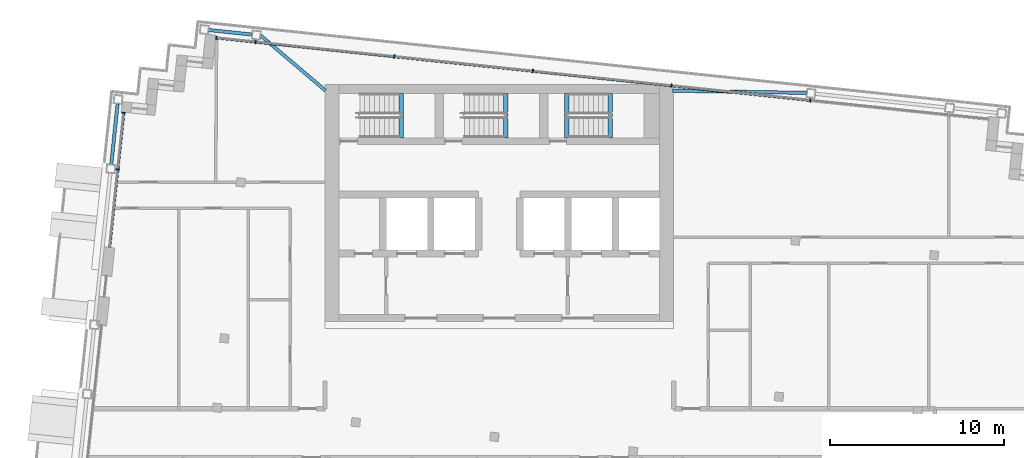
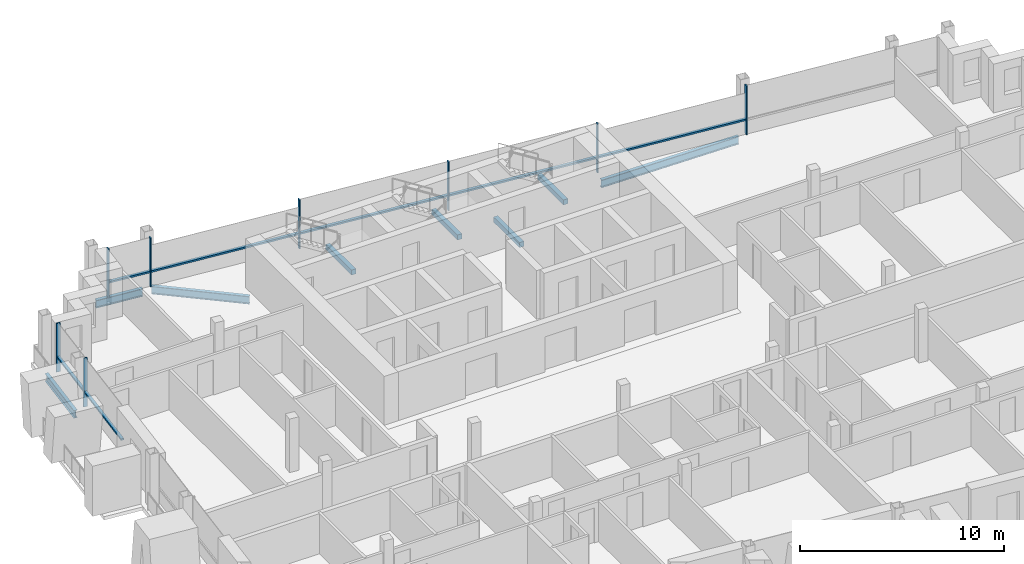
# One storey, part 5 of 16: 15 members, 8 beams, 2 elements without a shape of their own.
"""IFC4 building model written with IfcOpenShell, lengths in metres."""

from ifc_helpers import new_model, si_unit, direction, frame, origin, origin_2d, place, context, subcontext, project, spatial, rectangle, i_section, extrude, material, material_profile, profile_set, type_object, element, aggregate, save


model = new_model("IFC4")

# Units and contexts
model_context = context("Model", 3, precision=1e-05, world=origin(), true_north=direction((0.0, 1.0)))
body_context = subcontext(model_context, "Body", "Model", "MODEL_VIEW")
ifc_project = project(units=[si_unit("LENGTHUNIT", "METRE"), si_unit("AREAUNIT", "SQUARE_METRE"), si_unit("VOLUMEUNIT", "CUBIC_METRE"), si_unit("PLANEANGLEUNIT", "RADIAN"), si_unit("MASSUNIT", "GRAM", prefix="KILO")], contexts=[model_context])

# Site, building, storey
site_placement = place(None, origin())
site = spatial("IfcSite", under=ifc_project, at=site_placement, CompositionType="ELEMENT")
building_placement = place(site_placement, origin())
building = spatial("IfcBuilding", under=site, at=building_placement, Name="Vidyagriha Tower", CompositionType="ELEMENT")
storey_placement = place(building_placement, frame((0.0, 0.0, 275.5)))
storey = spatial("IfcBuildingStorey", under=building, at=storey_placement, Name="L72", CompositionType="ELEMENT", Elevation=275.5)

# Beams
ifc_material_1 = material(Name="Steel ASTM A992 Grade 50", Category="steel")
ifc_material_profile_1 = material_profile(ifc_material_1, i_section(OverallWidth=0.19189453125, OverallDepth=0.46240234375, WebThickness=0.010498046875, FlangeThickness=0.017578125, at=origin_2d()), Name="W18X60")
ifc_profile_set_1 = profile_set([ifc_material_profile_1], Name="Steel ASTM A992 Grade 50")
beam_type_1 = type_object("IfcBeamType", Name="Edge beam W18X60", PredefinedType="SPANDREL", material=ifc_profile_set_1)
beam_1_placement = place(storey_placement, frame((-22.263916015625, 15.422607421875, -0.51123046875), z_axis=(0.104495960989, 0.994525310958, 0.0), x_axis=(-0.994525310958, 0.104495960989, 0.0)))
element("IfcBeam", 1, at=beam_1_placement, inside=storey, type_object=beam_type_1, Name="st-beam-L72-W12", PredefinedType="SPANDREL", context=body_context, shape_type="SweptSolid", body=[
    extrude(i_section(OverallWidth=0.19189453125, OverallDepth=0.46240234375, WebThickness=0.010498046875, FlangeThickness=0.017578125, at=origin_2d()), origin(), (0.0, 0.0, 1.0), 3.499755859375),
])
beam_2_placement = place(storey_placement, frame((-16.677490234375, 23.130859375, -0.51123046875), z_axis=(0.994514546653, -0.104598357995, 0.0), x_axis=(0.104598357995, 0.994514546653, 0.0)))
element("IfcBeam", 2, at=beam_2_placement, inside=storey, type_object=beam_type_1, Name="st-beam-L72-NW18", PredefinedType="SPANDREL", context=body_context, shape_type="SweptSolid", body=[
    extrude(i_section(OverallWidth=0.19189453125, OverallDepth=0.46240234375, WebThickness=0.010498046875, FlangeThickness=0.017578125, at=origin_2d()), origin(), (0.0, 0.0, 1.0), 2.499755859375),
])
beam_3_placement = place(storey_placement, frame((-13.694091796875, 22.817138671875, -0.51123046875), z_axis=(0.762224865329, -0.647312331625, 0.0), x_axis=(0.647312331625, 0.762224865329, 0.0)))
element("IfcBeam", 3, at=beam_3_placement, inside=storey, type_object=beam_type_1, Name="st-beam-L72-NC21", PredefinedType="SPANDREL", context=body_context, shape_type="SweptSolid", body=[
    extrude(i_section(OverallWidth=0.19189453125, OverallDepth=0.46240234375, WebThickness=0.010498046875, FlangeThickness=0.017578125, at=origin_2d()), origin(), (0.0, 0.0, 1.0), 4.892822265625),
])
beam_4_placement = place(storey_placement, frame((9.92578125, 19.64990234375, -0.51123046875), z_axis=(0.99986748631, -0.016279122203, 0.0), x_axis=(0.016279122203, 0.99986748631, 0.0)))
element("IfcBeam", 4, at=beam_4_placement, inside=storey, type_object=beam_type_1, Name="st-beam-L72-NC22", PredefinedType="SPANDREL", context=body_context, shape_type="SweptSolid", body=[
    extrude(i_section(OverallWidth=0.19189453125, OverallDepth=0.46240234375, WebThickness=0.010498046875, FlangeThickness=0.017578125, at=origin_2d()), origin(), (0.0, 0.0, 1.0), 7.70849609375),
])

# Curtain wall, members
ifc_material_2 = material(Name="Aluminium and glass curtain wall", Category="aluminium")
curtain_wall_type = type_object("IfcCurtainWallType", Name="Dwelling skin unitised curtain wall", PredefinedType="USERDEFINED", material=ifc_material_2)
curtain_wall_1_placement = place(storey_placement, origin())
curtain_wall_1 = element("IfcCurtainWall", 5, at=curtain_wall_1_placement, inside=storey, type_object=curtain_wall_type, Name="CW1 dwelling skin", ObjectType="UNITISED", PredefinedType="USERDEFINED")
ifc_material_3 = material(Name="Aluminium black anodised", Category="aluminium")
ifc_material_profile_2 = material_profile(ifc_material_3, rectangle(XDim=0.199951171875, YDim=0.070068359375, at=origin_2d()), Name="Mullion 70x200 black aluminium")
ifc_profile_set_2 = profile_set([ifc_material_profile_2], Name="Aluminium black anodised")
member_type_1 = type_object("IfcMemberType", Name="Mullion 70x200 black aluminium", PredefinedType="MULLION", material=ifc_profile_set_2)
member_1_placement = place(storey_placement, frame((17.840087890625, 19.1005859375, 0.0), z_axis=(0.0, 0.0, 1.0), x_axis=(-0.104528852722, -0.994521854435, 0.0)))
member_1 = element("IfcMember", 6, at=member_1_placement, type_object=member_type_1, Name="CW1 mullion 3", PredefinedType="MULLION", context=body_context, shape_type="SweptSolid", body=[
    extrude(rectangle(XDim=0.199951171875, YDim=0.070068359375, at=origin_2d()), origin(), (0.0, 0.0, 1.0), 2.919921875),
])
member_2_placement = place(storey_placement, frame((9.884033203125, 19.936767578125, 0.0), z_axis=(0.0, 0.0, 1.0), x_axis=(-0.104528852722, -0.994521854435, 0.0)))
member_2 = element("IfcMember", 7, at=member_2_placement, type_object=member_type_1, Name="CW1 mullion 4", PredefinedType="MULLION", context=body_context, shape_type="SweptSolid", body=[
    extrude(rectangle(XDim=0.199951171875, YDim=0.070068359375, at=origin_2d()), origin(), (0.0, 0.0, 1.0), 2.919921875),
])
member_3_placement = place(storey_placement, frame((1.927978515625, 20.773193359375, 0.0), z_axis=(0.0, 0.0, 1.0), x_axis=(-0.104528852722, -0.994521854435, 0.0)))
member_3 = element("IfcMember", 8, at=member_3_placement, type_object=member_type_1, Name="CW1 mullion 5", PredefinedType="MULLION", context=body_context, shape_type="SweptSolid", body=[
    extrude(rectangle(XDim=0.199951171875, YDim=0.070068359375, at=origin_2d()), origin(), (0.0, 0.0, 1.0), 2.919921875),
])
member_4_placement = place(storey_placement, frame((-6.0283203125, 21.609375, 0.0), z_axis=(0.0, 0.0, 1.0), x_axis=(-0.104528852722, -0.994521854435, 0.0)))
member_4 = element("IfcMember", 9, at=member_4_placement, type_object=member_type_1, Name="CW1 mullion 6", PredefinedType="MULLION", context=body_context, shape_type="SweptSolid", body=[
    extrude(rectangle(XDim=0.199951171875, YDim=0.070068359375, at=origin_2d()), origin(), (0.0, 0.0, 1.0), 2.919921875),
])
member_5_placement = place(storey_placement, frame((-13.984375, 22.445556640625, 0.0), z_axis=(0.0, 0.0, 1.0), x_axis=(-0.104528852722, -0.994521854435, 0.0)))
member_5 = element("IfcMember", 10, at=member_5_placement, type_object=member_type_1, Name="CW1 mullion 7", PredefinedType="MULLION", context=body_context, shape_type="SweptSolid", body=[
    extrude(rectangle(XDim=0.199951171875, YDim=0.070068359375, at=origin_2d()), origin(), (0.0, 0.0, 1.0), 2.919921875),
])
member_6_placement = place(storey_placement, frame((-16.2373046875, 22.682373046875, 0.0), z_axis=(0.0, 0.0, 1.0), x_axis=(-0.104528852722, -0.994521854435, 0.0)))
member_6 = element("IfcMember", 11, at=member_6_placement, type_object=member_type_1, Name="CW1 mullion 8", PredefinedType="MULLION", context=body_context, shape_type="SweptSolid", body=[
    extrude(rectangle(XDim=0.199951171875, YDim=0.070068359375, at=origin_2d()), origin(), (0.0, 0.0, 1.0), 2.919921875),
])

curtain_wall_2_placement = place(storey_placement, origin())
curtain_wall_2 = element("IfcCurtainWall", 12, at=curtain_wall_2_placement, inside=storey, type_object=curtain_wall_type, Name="CW1 dwelling skin", ObjectType="UNITISED", PredefinedType="USERDEFINED")
member_7_placement = place(storey_placement, frame((-21.551025390625, 18.379150390625, 0.0), z_axis=(0.0, 0.0, 1.0), x_axis=(0.994522229676, -0.104525282489, 0.0)))
member_7 = element("IfcMember", 13, at=member_7_placement, type_object=member_type_1, Name="CW1 mullion 1", PredefinedType="MULLION", context=body_context, shape_type="SweptSolid", body=[
    extrude(rectangle(XDim=0.199951171875, YDim=0.070068359375, at=origin_2d()), origin(), (0.0, 0.0, 1.0), 2.919921875),
])
member_8_placement = place(storey_placement, frame((-21.892333984375, 15.132080078125, 0.0), z_axis=(0.0, 0.0, 1.0), x_axis=(0.994522229676, -0.104525282489, 0.0)))
member_8 = element("IfcMember", 14, at=member_8_placement, type_object=member_type_1, Name="CW1 mullion 2", PredefinedType="MULLION", context=body_context, shape_type="SweptSolid", body=[
    extrude(rectangle(XDim=0.199951171875, YDim=0.070068359375, at=origin_2d()), origin(), (0.0, 0.0, 1.0), 2.919921875),
])

# Beams
ifc_material_4 = material(Name="Concrete C40/50", Category="concrete")
ifc_material_profile_3 = material_profile(ifc_material_4, rectangle(XDim=0.25, YDim=0.300048828125, at=origin_2d()), Name="Stair landing bearing beam 250x300")
ifc_profile_set_3 = profile_set([ifc_material_profile_3], Name="Concrete C40/50")
beam_type_2 = type_object("IfcBeamType", Name="Stair landing bearing beam 250x300", PredefinedType="BEAM", material=ifc_profile_set_3)
for number, where, z_axis, x_axis, name in (
    (15, (3.875, 16.949951171875, -0.429931640625), (0.0, 1.0, 0.0), (-1.0, 0.0, 0.0), "ST3 floor landing bearing beam L72"),
    (16, (-5.635009765625, 16.949951171875, 1.25), (0.0, 1.0, 0.0), (-1.0, 0.0, 0.0), "ST1 landing bearing beam L72"),
    (17, (0.364990234375, 16.949951171875, 1.25), (0.0, 1.0, 0.0), (-1.0, 0.0, 0.0), "ST2 landing bearing beam L72"),
    (18, (6.364990234375, 16.949951171875, 1.25), (0.0, 1.0, 0.0), (-1.0, 0.0, 0.0), "ST3 landing bearing beam L72"),
):
    element("IfcBeam", number, at=place(storey_placement, frame(where, z_axis=z_axis, x_axis=x_axis)), inside=storey, type_object=beam_type_2, Name=name, PredefinedType="BEAM", context=body_context, shape_type="SweptSolid", body=[
        extrude(rectangle(XDim=0.25, YDim=0.300048828125, at=origin_2d()), origin(), (0.0, 0.0, 1.0), 2.550048828125),
    ])

# Member
ifc_material_5 = material(Name="Aluminium black anodised", Category="aluminium")
ifc_material_profile_4 = material_profile(ifc_material_5, rectangle(XDim=0.159912109375, YDim=0.10009765625, at=origin_2d()), Name="Transom 100x160 black aluminium")
ifc_profile_set_4 = profile_set([ifc_material_profile_4], Name="Aluminium black anodised")
member_type_2 = type_object("IfcMemberType", Name="Transom 100x160 black aluminium", PredefinedType="USERDEFINED", material=ifc_profile_set_4)
member_9_placement = place(storey_placement, frame((17.805419921875, 19.104248046875, 0.89990234375), z_axis=(-0.994522814543, 0.104519717539, 0.0), x_axis=(-0.104519717539, -0.994522814543, 0.0)))
member_9 = element("IfcMember", 19, at=member_9_placement, type_object=member_type_2, Name="CW1 transom 3.1", ObjectType="TRANSOM", PredefinedType="USERDEFINED", context=body_context, shape_type="SweptSolid", body=[
    extrude(rectangle(XDim=0.159912109375, YDim=0.10009765625, at=origin_2d()), origin(), (0.0, 0.0, 1.0), 7.93017578125),
])

member_10_placement = place(storey_placement, frame((9.84912109375, 19.9404296875, 0.89990234375), z_axis=(-0.994519277397, 0.104553368605, 0.0), x_axis=(-0.104553368605, -0.994519277397, 0.0)))
member_10 = element("IfcMember", 20, at=member_10_placement, type_object=member_type_2, Name="CW1 transom 4.1", ObjectType="TRANSOM", PredefinedType="USERDEFINED", context=body_context, shape_type="SweptSolid", body=[
    extrude(rectangle(XDim=0.159912109375, YDim=0.10009765625, at=origin_2d()), origin(), (0.0, 0.0, 1.0), 7.929931640625),
])

member_11_placement = place(storey_placement, frame((1.89306640625, 20.77685546875, 0.89990234375), z_axis=(-0.994522478205, 0.104522917794, 0.0), x_axis=(-0.104522917794, -0.994522478205, 0.0)))
member_11 = element("IfcMember", 21, at=member_11_placement, type_object=member_type_2, Name="CW1 transom 5.1", ObjectType="TRANSOM", PredefinedType="USERDEFINED", context=body_context, shape_type="SweptSolid", body=[
    extrude(rectangle(XDim=0.159912109375, YDim=0.10009765625, at=origin_2d()), origin(), (0.0, 0.0, 1.0), 7.929931640625),
])

member_12_placement = place(storey_placement, frame((-6.06298828125, 21.613037109375, 0.89990234375), z_axis=(-0.994522814543, 0.104519717539, 0.0), x_axis=(-0.104519717539, -0.994522814543, 0.0)))
member_12 = element("IfcMember", 22, at=member_12_placement, type_object=member_type_2, Name="CW1 transom 6.1", ObjectType="TRANSOM", PredefinedType="USERDEFINED", context=body_context, shape_type="SweptSolid", body=[
    extrude(rectangle(XDim=0.159912109375, YDim=0.10009765625, at=origin_2d()), origin(), (0.0, 0.0, 1.0), 7.93017578125),
])

member_13_placement = place(storey_placement, frame((-14.019287109375, 22.44921875, 0.89990234375), z_axis=(-0.994520069272, 0.104545835956, 0.0), x_axis=(-0.104545835956, -0.994520069272, 0.0)))
member_13 = element("IfcMember", 23, at=member_13_placement, type_object=member_type_2, Name="CW1 transom 7.1", ObjectType="TRANSOM", PredefinedType="USERDEFINED", context=body_context, shape_type="SweptSolid", body=[
    extrude(rectangle(XDim=0.159912109375, YDim=0.10009765625, at=origin_2d()), origin(), (0.0, 0.0, 1.0), 2.195068359375),
])

aggregate(curtain_wall_1, [member_1, member_2, member_3, member_4, member_5, member_6, member_9, member_10, member_11, member_12, member_13])

member_14_placement = place(storey_placement, frame((-21.5546875, 18.344482421875, 0.89990234375), z_axis=(-0.104533631179, -0.994521352185, 0.0), x_axis=(0.994521352185, -0.104533631179, 0.0)))
member_14 = element("IfcMember", 24, at=member_14_placement, type_object=member_type_2, Name="CW1 transom 1.1", ObjectType="TRANSOM", PredefinedType="USERDEFINED", context=body_context, shape_type="SweptSolid", body=[
    extrude(rectangle(XDim=0.159912109375, YDim=0.10009765625, at=origin_2d()), origin(), (0.0, 0.0, 1.0), 3.195068359375),
])

member_15_placement = place(storey_placement, frame((-21.89599609375, 15.097412109375, 0.89990234375), z_axis=(-0.104542473379, -0.994520422746, 0.0), x_axis=(0.994520422746, -0.104542473379, 0.0)))
member_15 = element("IfcMember", 25, at=member_15_placement, type_object=member_type_2, Name="CW1 transom 2.1", ObjectType="TRANSOM", PredefinedType="USERDEFINED", context=body_context, shape_type="SweptSolid", body=[
    extrude(rectangle(XDim=0.159912109375, YDim=0.10009765625, at=origin_2d()), origin(), (0.0, 0.0, 1.0), 4.465087890625),
])

aggregate(curtain_wall_2, [member_7, member_8, member_14, member_15])

save(model, "model.ifc")
